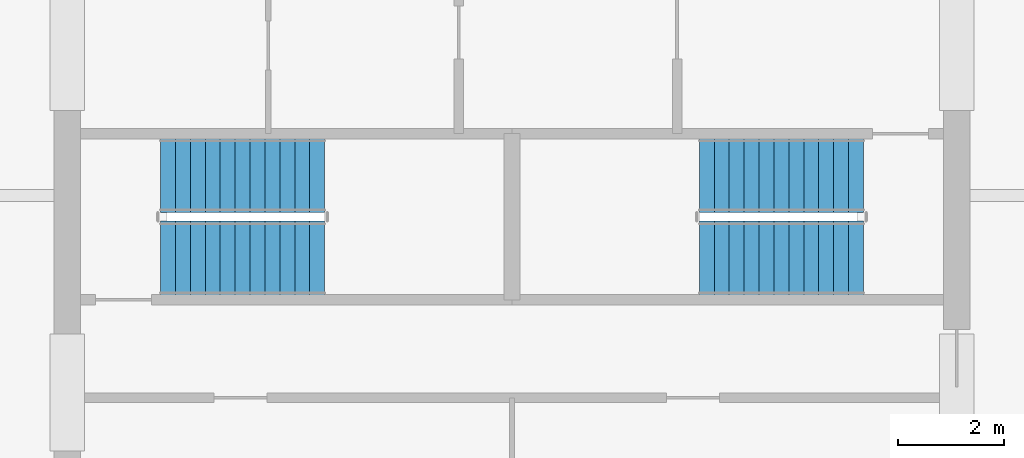
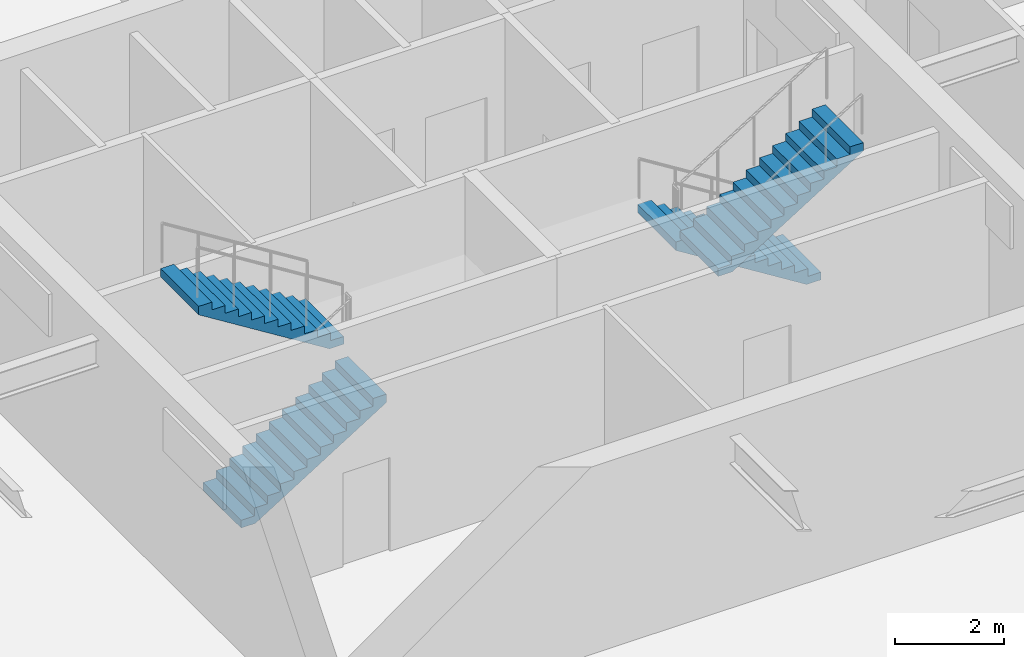
# One storey, part 10 of 13: 4 stair flights, 2 elements without a shape of their own.
"""IFC4 building model written with IfcOpenShell, lengths in metres."""

from ifc_helpers import new_model, si_unit, direction, frame, origin, place, context, subcontext, project, spatial, polyline, outline, extrude, material, type_object, element, aggregate, save


model = new_model("IFC4")

# Units and contexts
model_context = context("Model", 3, precision=1e-05, world=origin(), true_north=direction((0.0, 1.0)))
body_context = subcontext(model_context, "Body", "Model", "MODEL_VIEW")
ifc_project = project(units=[si_unit("LENGTHUNIT", "METRE"), si_unit("AREAUNIT", "SQUARE_METRE"), si_unit("VOLUMEUNIT", "CUBIC_METRE"), si_unit("PLANEANGLEUNIT", "RADIAN"), si_unit("MASSUNIT", "GRAM", prefix="KILO")], contexts=[model_context])

# Site, building, storey
site_placement = place(None, origin())
site = spatial("IfcSite", under=ifc_project, at=site_placement, CompositionType="ELEMENT")
building_placement = place(site_placement, origin())
building = spatial("IfcBuilding", under=site, at=building_placement, Name="Drelvath Grand Hotel", CompositionType="ELEMENT")
storey_placement = place(building_placement, frame((0.0, 0.0, 303.0)))
storey = spatial("IfcBuildingStorey", under=building, at=storey_placement, Name="L79", CompositionType="ELEMENT", Elevation=303.0)

# Stair, stair flights
ifc_material = material(Name="Concrete C40/50", Category="concrete")
stair_type = type_object("IfcStairType", Name="Dogleg Exit Stair W1400-R175.0", PredefinedType="HALF_TURN_STAIR", material=ifc_material)
stair_1_placement = place(storey_placement, origin())
stair_1 = element("IfcStair", 1, at=stair_1_placement, inside=storey, type_object=stair_type, Name="L79 Core Exit Stair ST-1", PredefinedType="HALF_TURN_STAIR")
stair_flight_type = type_object("IfcStairFlightType", Name="Concrete Stair Flight W1400-R175.0", PredefinedType="STRAIGHT", material=ifc_material)
stair_flight_1_placement = place(storey_placement, frame((-6.60009765625, 25.820068359375, 0.0), z_axis=(0.0, 0.0, 1.0), x_axis=(1.0, 0.0, 0.0)))
stair_flight_1 = element("IfcStairFlight", 2, at=stair_flight_1_placement, type_object=stair_flight_type, Name="ST-1 flight 1", NumberOfRisers=12, NumberOfTreads=11, PredefinedType="STRAIGHT", RiserHeight=0.175, TreadLength=0.28, context=body_context, shape_type="SweptSolid", body=[
    extrude(outline(polyline([(0.0, 0.0), (0.0, 0.175048828125), (0.280029296875, 0.175048828125), (0.280029296875, 0.35009765625), (0.56005859375, 0.35009765625), (0.56005859375, 0.52490234375), (0.840087890625, 0.52490234375), (0.840087890625, 0.699951171875), (1.1201171875, 0.699951171875), (1.1201171875, 0.875), (1.39990234375, 0.875), (1.39990234375, 1.050048828125), (1.679931640625, 1.050048828125), (1.679931640625, 1.22509765625), (1.9599609375, 1.22509765625), (1.9599609375, 1.39990234375), (2.239990234375, 1.39990234375), (2.239990234375, 1.574951171875), (2.52001953125, 1.574951171875), (2.52001953125, 1.75), (2.800048828125, 1.75), (2.800048828125, 1.925048828125), (3.080078125, 1.925048828125), (3.080078125, 2.10009765625), (3.080078125, 1.736328125), (0.3017578125, 0.0), (0.0, 0.0)])), frame((0.0, 0.699951171875, 0.0), z_axis=(0.0, -1.0, 0.0), x_axis=(1.0, 0.0, 0.0)), (0.0, 0.0, 1.0), 1.39990234375),
])
stair_flight_2_placement = place(storey_placement, frame((-3.52001953125, 27.3798828125, 2.10009765625), z_axis=(0.0, 0.0, 1.0), x_axis=(-1.0, 0.0, 0.0)))
stair_flight_2 = element("IfcStairFlight", 3, at=stair_flight_2_placement, type_object=stair_flight_type, Name="ST-1 flight 2", NumberOfRisers=12, NumberOfTreads=11, PredefinedType="STRAIGHT", RiserHeight=0.175, TreadLength=0.28, context=body_context, shape_type="SweptSolid", body=[
    extrude(outline(polyline([(0.0, 0.0), (0.0, 0.175048828125), (0.280029296875, 0.175048828125), (0.280029296875, 0.35009765625), (0.56005859375, 0.35009765625), (0.56005859375, 0.52490234375), (0.840087890625, 0.52490234375), (0.840087890625, 0.699951171875), (1.1201171875, 0.699951171875), (1.1201171875, 0.875), (1.39990234375, 0.875), (1.39990234375, 1.050048828125), (1.679931640625, 1.050048828125), (1.679931640625, 1.22509765625), (1.9599609375, 1.22509765625), (1.9599609375, 1.39990234375), (2.239990234375, 1.39990234375), (2.239990234375, 1.574951171875), (2.52001953125, 1.574951171875), (2.52001953125, 1.75), (2.800048828125, 1.75), (2.800048828125, 1.925048828125), (3.080078125, 1.925048828125), (3.080078125, 2.10009765625), (3.080078125, 1.736328125), (0.3017578125, 0.0), (0.0, 0.0)])), frame((0.0, 0.699951171875, 0.0), z_axis=(0.0, -1.0, 0.0), x_axis=(1.0, 0.0, 0.0)), (0.0, 0.0, 1.0), 1.39990234375),
])
aggregate(stair_1, [stair_flight_1, stair_flight_2])

stair_2_placement = place(storey_placement, origin())
stair_2 = element("IfcStair", 4, at=stair_2_placement, inside=storey, type_object=stair_type, Name="L79 Core Exit Stair ST-2", PredefinedType="HALF_TURN_STAIR")
stair_flight_3_placement = place(storey_placement, frame((6.60009765625, 27.3798828125, 0.0), z_axis=(0.0, 0.0, 1.0), x_axis=(-1.0, 0.0, 0.0)))
stair_flight_3 = element("IfcStairFlight", 5, at=stair_flight_3_placement, type_object=stair_flight_type, Name="ST-2 flight 1", NumberOfRisers=12, NumberOfTreads=11, PredefinedType="STRAIGHT", RiserHeight=0.175, TreadLength=0.28, context=body_context, shape_type="SweptSolid", body=[
    extrude(outline(polyline([(0.0, 0.0), (0.0, 0.175048828125), (0.280029296875, 0.175048828125), (0.280029296875, 0.35009765625), (0.56005859375, 0.35009765625), (0.56005859375, 0.52490234375), (0.840087890625, 0.52490234375), (0.840087890625, 0.699951171875), (1.1201171875, 0.699951171875), (1.1201171875, 0.875), (1.39990234375, 0.875), (1.39990234375, 1.050048828125), (1.679931640625, 1.050048828125), (1.679931640625, 1.22509765625), (1.9599609375, 1.22509765625), (1.9599609375, 1.39990234375), (2.239990234375, 1.39990234375), (2.239990234375, 1.574951171875), (2.52001953125, 1.574951171875), (2.52001953125, 1.75), (2.800048828125, 1.75), (2.800048828125, 1.925048828125), (3.080078125, 1.925048828125), (3.080078125, 2.10009765625), (3.080078125, 1.736328125), (0.3017578125, 0.0), (0.0, 0.0)])), frame((0.0, 0.699951171875, 0.0), z_axis=(0.0, -1.0, 0.0), x_axis=(1.0, 0.0, 0.0)), (0.0, 0.0, 1.0), 1.39990234375),
])
stair_flight_4_placement = place(storey_placement, frame((3.52001953125, 25.820068359375, 2.10009765625), z_axis=(0.0, 0.0, 1.0), x_axis=(1.0, 0.0, 0.0)))
stair_flight_4 = element("IfcStairFlight", 6, at=stair_flight_4_placement, type_object=stair_flight_type, Name="ST-2 flight 2", NumberOfRisers=12, NumberOfTreads=11, PredefinedType="STRAIGHT", RiserHeight=0.175, TreadLength=0.28, context=body_context, shape_type="SweptSolid", body=[
    extrude(outline(polyline([(0.0, 0.0), (0.0, 0.175048828125), (0.280029296875, 0.175048828125), (0.280029296875, 0.35009765625), (0.56005859375, 0.35009765625), (0.56005859375, 0.52490234375), (0.840087890625, 0.52490234375), (0.840087890625, 0.699951171875), (1.1201171875, 0.699951171875), (1.1201171875, 0.875), (1.39990234375, 0.875), (1.39990234375, 1.050048828125), (1.679931640625, 1.050048828125), (1.679931640625, 1.22509765625), (1.9599609375, 1.22509765625), (1.9599609375, 1.39990234375), (2.239990234375, 1.39990234375), (2.239990234375, 1.574951171875), (2.52001953125, 1.574951171875), (2.52001953125, 1.75), (2.800048828125, 1.75), (2.800048828125, 1.925048828125), (3.080078125, 1.925048828125), (3.080078125, 2.10009765625), (3.080078125, 1.736328125), (0.3017578125, 0.0), (0.0, 0.0)])), frame((0.0, 0.699951171875, 0.0), z_axis=(0.0, -1.0, 0.0), x_axis=(1.0, 0.0, 0.0)), (0.0, 0.0, 1.0), 1.39990234375),
])
aggregate(stair_2, [stair_flight_3, stair_flight_4])

save(model, "model.ifc")
